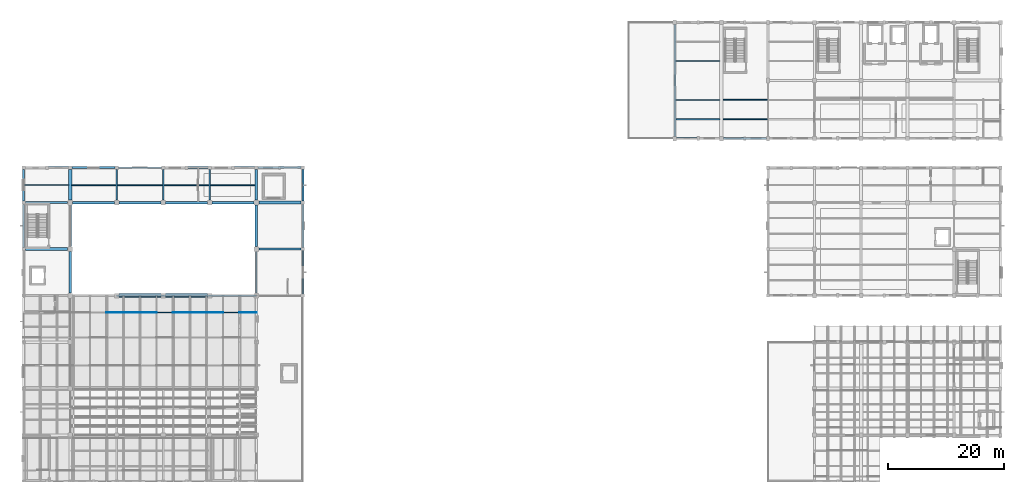
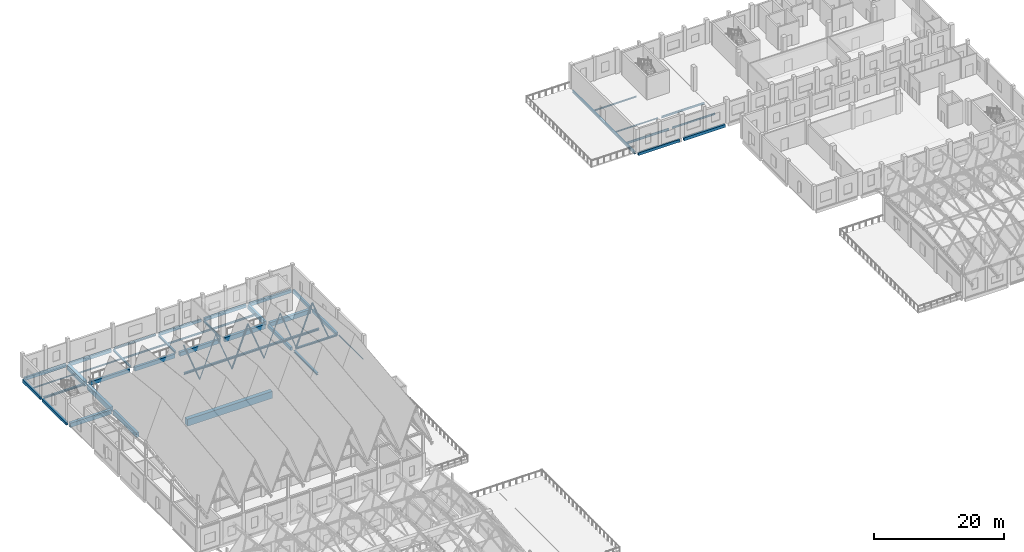
# One storey, part 19 of 77: 45 beams, 9 members.
"""IFC4 building model written with IfcOpenShell, lengths in metres."""

from ifc_helpers import new_model, si_unit, direction, frame, origin, origin_2d, place, context, subcontext, project, spatial, rectangle, hollow_rectangle, i_section, extrude, material, material_profile, profile_set, type_object, element, save


model = new_model("IFC4")

# Units and contexts
model_context = context("Model", 3, precision=1e-05, world=origin(), true_north=direction((0.0, 1.0)))
body_context = subcontext(model_context, "Body", "Model", "MODEL_VIEW")
ifc_project = project(units=[si_unit("LENGTHUNIT", "METRE"), si_unit("AREAUNIT", "SQUARE_METRE"), si_unit("VOLUMEUNIT", "CUBIC_METRE"), si_unit("PLANEANGLEUNIT", "RADIAN"), si_unit("MASSUNIT", "GRAM", prefix="KILO")], contexts=[model_context])

# Site, building, storey
site_placement = place(None, origin())
site = spatial("IfcSite", under=ifc_project, at=site_placement, CompositionType="ELEMENT")
building_placement = place(site_placement, origin())
building = spatial("IfcBuilding", under=site, at=building_placement, Name="Luwemba Playhouse", CompositionType="ELEMENT")
storey_placement = place(building_placement, frame((0.0, 0.0, 9.300048828125)))
storey = spatial("IfcBuildingStorey", under=building, at=storey_placement, Name="L02", CompositionType="ELEMENT", Elevation=9.300048828125)

# Beams
ifc_material_1 = material(Name="Concrete C40/50", Category="concrete")
ifc_material_profile_1 = material_profile(ifc_material_1, rectangle(XDim=0.39990234375, YDim=0.60009765625, at=origin_2d()))
ifc_profile_set_1 = profile_set([ifc_material_profile_1], Name="Concrete C40/50")
beam_type_1 = type_object("IfcBeamType", Name="BM-RB01", PredefinedType="BEAM", material=ifc_profile_set_1)
beam_1_placement = place(storey_placement, frame((44.0, 76.425048828125, -0.550048828125), z_axis=(0.0, 1.0, 0.0), x_axis=(-1.0, 0.0, 0.0)))
element("IfcBeam", 1, at=beam_1_placement, inside=storey, type_object=beam_type_1, Name="L02 transverse girder 0693", PredefinedType="BEAM", context=body_context, shape_type="SweptSolid", body=[
    extrude(rectangle(XDim=0.39990234375, YDim=0.60009765625, at=origin_2d()), origin(), (0.0, 0.0, 1.0), 7.14990234375),
])
ifc_material_profile_2 = material_profile(ifc_material_1, rectangle(XDim=0.39990234375, YDim=0.64990234375, at=origin_2d()))
ifc_profile_set_2 = profile_set([ifc_material_profile_2], Name="Concrete C40/50")
beam_type_2 = type_object("IfcBeamType", Name="BM-RB02", PredefinedType="BEAM", material=ifc_profile_set_2)
beam_2_placement = place(storey_placement, frame((12.425048828125, 84.0, -0.574951171875), z_axis=(1.0, 0.0, 0.0), x_axis=(0.0, 1.0, 0.0)))
element("IfcBeam", 2, at=beam_2_placement, inside=storey, type_object=beam_type_2, Name="L02 grid girder 0672", PredefinedType="BEAM", context=body_context, shape_type="SweptSolid", body=[
    extrude(rectangle(XDim=0.39990234375, YDim=0.64990234375, at=origin_2d()), origin(), (0.0, 0.0, 1.0), 7.14990234375),
])
ifc_material_profile_3 = material_profile(ifc_material_1, rectangle(XDim=0.39990234375, YDim=0.75, at=origin_2d()))
ifc_profile_set_3 = profile_set([ifc_material_profile_3], Name="Concrete C40/50")
beam_type_3 = type_object("IfcBeamType", Name="BM-RB03", PredefinedType="BEAM", material=ifc_profile_set_3)
beam_3_placement = place(storey_placement, frame((20.425048828125, 84.0, -0.625), z_axis=(1.0, 0.0, 0.0), x_axis=(0.0, 1.0, 0.0)))
element("IfcBeam", 3, at=beam_3_placement, inside=storey, type_object=beam_type_3, Name="L02 grid girder 0673", PredefinedType="BEAM", context=body_context, shape_type="SweptSolid", body=[
    extrude(rectangle(XDim=0.39990234375, YDim=0.75, at=origin_2d()), origin(), (0.0, 0.0, 1.0), 7.14990234375),
])
beam_4_placement = place(storey_placement, frame((44.0, 84.425048828125, -0.625), z_axis=(0.0, 1.0, 0.0), x_axis=(-1.0, 0.0, 0.0)))
element("IfcBeam", 4, at=beam_4_placement, inside=storey, type_object=beam_type_3, Name="L02 transverse girder 0694", PredefinedType="BEAM", context=body_context, shape_type="SweptSolid", body=[
    extrude(rectangle(XDim=0.39990234375, YDim=0.75, at=origin_2d()), origin(), (0.0, 0.0, 1.0), 5.27490234375),
])
ifc_material_profile_4 = material_profile(ifc_material_1, rectangle(XDim=0.449951171875, YDim=0.75, at=origin_2d()))
ifc_profile_set_4 = profile_set([ifc_material_profile_4], Name="Concrete C40/50")
beam_type_4 = type_object("IfcBeamType", Name="BM-RB04", PredefinedType="BEAM", material=ifc_profile_set_4)
beam_5_placement = place(storey_placement, frame((28.425048828125, 84.0, -0.625), z_axis=(1.0, 0.0, 0.0), x_axis=(0.0, 1.0, 0.0)))
element("IfcBeam", 5, at=beam_5_placement, inside=storey, type_object=beam_type_4, Name="L02 grid girder 0674", PredefinedType="BEAM", context=body_context, shape_type="SweptSolid", body=[
    extrude(rectangle(XDim=0.449951171875, YDim=0.75, at=origin_2d()), origin(), (0.0, 0.0, 1.0), 7.14990234375),
])
ifc_material_profile_5 = material_profile(ifc_material_1, rectangle(XDim=0.449951171875, YDim=0.85009765625, at=origin_2d()))
ifc_profile_set_5 = profile_set([ifc_material_profile_5], Name="Concrete C40/50")
beam_type_5 = type_object("IfcBeamType", Name="BM-RB05", PredefinedType="BEAM", material=ifc_profile_set_5)
for number, where, z_axis, x_axis, name in (
    (6, (36.425048828125, 84.0, -0.675048828125), (1.0, 0.0, 0.0), (0.0, 1.0, 0.0), "L02 grid girder 0675"),
    (7, (12.0, 68.425048828125, -0.675048828125), (0.0, 1.0, 0.0), (-1.0, 0.0, 0.0), "L02 transverse girder 0686"),
):
    element("IfcBeam", number, at=place(storey_placement, frame(where, z_axis=z_axis, x_axis=x_axis)), inside=storey, type_object=beam_type_5, Name=name, PredefinedType="BEAM", context=body_context, shape_type="SweptSolid", body=[
        extrude(rectangle(XDim=0.449951171875, YDim=0.85009765625, at=origin_2d()), origin(), (0.0, 0.0, 1.0), 7.14990234375),
    ])
ifc_material_profile_6 = material_profile(ifc_material_1, rectangle(XDim=0.5, YDim=0.800048828125, at=origin_2d()))
ifc_profile_set_6 = profile_set([ifc_material_profile_6], Name="Concrete C40/50")
beam_type_6 = type_object("IfcBeamType", Name="BM-RB06", PredefinedType="BEAM", material=ifc_profile_set_6)
for number, where, z_axis, x_axis, name in (
    (8, (4.300048828125, 76.0, -0.650146484375), (1.0, 0.0, 0.0), (0.0, 1.0, 0.0), "L02 grid girder 0669"),
    (9, (44.425048828125, 84.0, -0.650146484375), (1.0, 0.0, 0.0), (0.0, 1.0, 0.0), "L02 grid girder 0676"),
):
    element("IfcBeam", number, at=place(storey_placement, frame(where, z_axis=z_axis, x_axis=x_axis)), inside=storey, type_object=beam_type_6, Name=name, PredefinedType="BEAM", context=body_context, shape_type="SweptSolid", body=[
        extrude(rectangle(XDim=0.5, YDim=0.800048828125, at=origin_2d()), origin(), (0.0, 0.0, 1.0), 7.27490234375),
    ])
ifc_material_profile_7 = material_profile(ifc_material_1, rectangle(XDim=0.5, YDim=0.89990234375, at=origin_2d()))
ifc_profile_set_7 = profile_set([ifc_material_profile_7], Name="Concrete C40/50")
beam_type_7 = type_object("IfcBeamType", Name="BM-RB07", PredefinedType="BEAM", material=ifc_profile_set_7)
beam_6_placement = place(storey_placement, frame((12.0, 76.425048828125, -0.699951171875), z_axis=(0.0, 1.0, 0.0), x_axis=(-1.0, 0.0, 0.0)))
element("IfcBeam", 10, at=beam_6_placement, inside=storey, type_object=beam_type_7, Name="L02 transverse girder 0687", PredefinedType="BEAM", context=body_context, shape_type="SweptSolid", body=[
    extrude(rectangle(XDim=0.5, YDim=0.89990234375, at=origin_2d()), origin(), (0.0, 0.0, 1.0), 7.14990234375),
])
ifc_material_profile_8 = material_profile(ifc_material_1, rectangle(XDim=0.550048828125, YDim=0.949951171875, at=origin_2d()))
ifc_profile_set_8 = profile_set([ifc_material_profile_8], Name="Concrete C40/50")
beam_type_8 = type_object("IfcBeamType", Name="BM-RB08", PredefinedType="BEAM", material=ifc_profile_set_8)
beam_7_placement = place(storey_placement, frame((12.0, 84.425048828125, -0.72509765625), z_axis=(0.0, 1.0, 0.0), x_axis=(-1.0, 0.0, 0.0)))
element("IfcBeam", 11, at=beam_7_placement, inside=storey, type_object=beam_type_8, Name="L02 transverse girder 0688", PredefinedType="BEAM", context=body_context, shape_type="SweptSolid", body=[
    extrude(rectangle(XDim=0.550048828125, YDim=0.949951171875, at=origin_2d()), origin(), (0.0, 0.0, 1.0), 5.27490234375),
])
ifc_material_profile_9 = material_profile(ifc_material_1, rectangle(XDim=0.699951171875, YDim=1.300048828125, at=origin_2d()))
ifc_profile_set_9 = profile_set([ifc_material_profile_9], Name="Concrete C40/50")
beam_type_9 = type_object("IfcBeamType", Name="BM-RB12", PredefinedType="BEAM", material=ifc_profile_set_9)
beam_8_placement = place(storey_placement, frame((20.425048828125, 68.0, -0.900146484375), z_axis=(1.0, 0.0, 0.0), x_axis=(0.0, 1.0, 0.0)))
element("IfcBeam", 12, at=beam_8_placement, inside=storey, type_object=beam_type_9, Name="L02 Proscenium transfer girder", PredefinedType="BEAM", context=body_context, shape_type="SweptSolid", body=[
    extrude(rectangle(XDim=0.699951171875, YDim=1.300048828125, at=origin_2d()), origin(), (0.0, 0.0, 1.0), 15.14990234375),
])
ifc_material_2 = material(Name="Steel S355", Category="steel")
ifc_material_profile_10 = material_profile(ifc_material_2, i_section(OverallWidth=0.280029296875, OverallDepth=0.27001953125, WebThickness=0.008056640625, FlangeThickness=0.012939453125, FilletRadius=0.02392578125, at=origin_2d()))
ifc_profile_set_10 = profile_set([ifc_material_profile_10], Name="Steel S355")
beam_type_10 = type_object("IfcBeamType", Name="BM-SB02", PredefinedType="BEAM", material=ifc_profile_set_10)
beam_9_placement = place(storey_placement, frame((20.0, 84.425048828125, -0.385009765625), z_axis=(0.0, 1.0, 0.0), x_axis=(-1.0, 0.0, 0.0)))
element("IfcBeam", 13, at=beam_9_placement, inside=storey, type_object=beam_type_10, Name="L02 transverse girder 0689", PredefinedType="BEAM", context=body_context, shape_type="SweptSolid", body=[
    extrude(i_section(OverallWidth=0.280029296875, OverallDepth=0.27001953125, WebThickness=0.008056640625, FlangeThickness=0.012939453125, FilletRadius=0.02392578125, at=origin_2d()), origin(), (0.0, 0.0, 1.0), 5.27490234375),
])
ifc_material_profile_11 = material_profile(ifc_material_2, i_section(OverallWidth=0.300048828125, OverallDepth=0.2900390625, WebThickness=0.008544921875, FlangeThickness=0.013916015625, FilletRadius=0.027099609375, at=origin_2d()))
ifc_profile_set_11 = profile_set([ifc_material_profile_11], Name="Steel S355")
beam_type_11 = type_object("IfcBeamType", Name="BM-SB03", PredefinedType="BEAM", material=ifc_profile_set_11)
beam_10_placement = place(storey_placement, frame((44.425048828125, 76.0, -0.39501953125), z_axis=(1.0, 0.0, 0.0), x_axis=(0.0, 1.0, 0.0)))
element("IfcBeam", 14, at=beam_10_placement, inside=storey, type_object=beam_type_11, Name="L02 grid girder 0670", PredefinedType="BEAM", context=body_context, shape_type="SweptSolid", body=[
    extrude(i_section(OverallWidth=0.300048828125, OverallDepth=0.2900390625, WebThickness=0.008544921875, FlangeThickness=0.013916015625, FilletRadius=0.027099609375, at=origin_2d()), origin(), (0.0, 0.0, 1.0), 7.27490234375),
])
ifc_material_profile_12 = material_profile(ifc_material_2, i_section(OverallWidth=0.300048828125, OverallDepth=0.330078125, WebThickness=0.009521484375, FlangeThickness=0.0166015625, FilletRadius=0.027099609375, at=origin_2d()))
ifc_profile_set_12 = profile_set([ifc_material_profile_12], Name="Steel S355")
beam_type_12 = type_object("IfcBeamType", Name="BM-SB04", PredefinedType="BEAM", material=ifc_profile_set_12)
beam_11_placement = place(storey_placement, frame((4.300048828125, 84.0, -0.4150390625), z_axis=(1.0, 0.0, 0.0), x_axis=(0.0, 1.0, 0.0)))
element("IfcBeam", 15, at=beam_11_placement, inside=storey, type_object=beam_type_12, Name="L02 grid girder 0671", PredefinedType="BEAM", context=body_context, shape_type="SweptSolid", body=[
    extrude(i_section(OverallWidth=0.300048828125, OverallDepth=0.330078125, WebThickness=0.009521484375, FlangeThickness=0.0166015625, FilletRadius=0.027099609375, at=origin_2d()), origin(), (0.0, 0.0, 1.0), 7.27490234375),
])
ifc_material_profile_13 = material_profile(ifc_material_2, i_section(OverallWidth=0.300048828125, OverallDepth=0.389892578125, WebThickness=0.010986328125, FlangeThickness=0.01904296875, FilletRadius=0.027099609375, at=origin_2d()))
ifc_profile_set_13 = profile_set([ifc_material_profile_13], Name="Steel S355")
beam_type_13 = type_object("IfcBeamType", Name="BM-SB05", PredefinedType="BEAM", material=ifc_profile_set_13)
beam_12_placement = place(storey_placement, frame((28.0, 84.425048828125, -0.445068359375), z_axis=(0.0, 1.0, 0.0), x_axis=(-1.0, 0.0, 0.0)))
element("IfcBeam", 16, at=beam_12_placement, inside=storey, type_object=beam_type_13, Name="L02 transverse girder 0690", PredefinedType="BEAM", context=body_context, shape_type="SweptSolid", body=[
    extrude(i_section(OverallWidth=0.300048828125, OverallDepth=0.389892578125, WebThickness=0.010986328125, FlangeThickness=0.01904296875, FilletRadius=0.027099609375, at=origin_2d()), origin(), (0.0, 0.0, 1.0), 5.27490234375),
])
ifc_material_profile_14 = material_profile(ifc_material_2, i_section(OverallWidth=0.18994140625, OverallDepth=0.449951171875, WebThickness=0.009521484375, FlangeThickness=0.0146484375, FilletRadius=0.02099609375, at=origin_2d()))
ifc_profile_set_14 = profile_set([ifc_material_profile_14], Name="Steel S355")
beam_type_14 = type_object("IfcBeamType", Name="BM-SB06", PredefinedType="BEAM", material=ifc_profile_set_14)
beam_13_placement = place(storey_placement, frame((36.0, 84.425048828125, -0.47509765625), z_axis=(0.0, 1.0, 0.0), x_axis=(-1.0, 0.0, 0.0)))
element("IfcBeam", 17, at=beam_13_placement, inside=storey, type_object=beam_type_14, Name="L02 transverse girder 0691", PredefinedType="BEAM", context=body_context, shape_type="SweptSolid", body=[
    extrude(i_section(OverallWidth=0.18994140625, OverallDepth=0.449951171875, WebThickness=0.009521484375, FlangeThickness=0.0146484375, FilletRadius=0.02099609375, at=origin_2d()), origin(), (0.0, 0.0, 1.0), 5.27490234375),
])
ifc_material_profile_15 = material_profile(ifc_material_2, i_section(OverallWidth=0.300048828125, OverallDepth=0.360107421875, WebThickness=0.012451171875, FlangeThickness=0.0224609375, FilletRadius=0.027099609375, at=origin_2d()))
ifc_profile_set_15 = profile_set([ifc_material_profile_15], Name="Steel S355")
beam_type_15 = type_object("IfcBeamType", Name="BM-SB09", PredefinedType="BEAM", material=ifc_profile_set_15)
beam_14_placement = place(storey_placement, frame((44.0, 68.425048828125, -0.429931640625), z_axis=(0.0, 1.0, 0.0), x_axis=(-1.0, 0.0, 0.0)))
element("IfcBeam", 18, at=beam_14_placement, inside=storey, type_object=beam_type_15, Name="L02 transverse girder 0692", PredefinedType="BEAM", context=body_context, shape_type="SweptSolid", body=[
    extrude(i_section(OverallWidth=0.300048828125, OverallDepth=0.360107421875, WebThickness=0.012451171875, FlangeThickness=0.0224609375, FilletRadius=0.027099609375, at=origin_2d()), origin(), (0.0, 0.0, 1.0), 7.14990234375),
])
for number, where, z_axis, x_axis, name in (
    (19, (20.0, 68.0, 8.320068359375), (1.0, 0.0, 0.0), (0.0, 1.0, 0.0), "RF-V1 eave ring beam 0008"),
    (20, (28.0, 68.0, 8.320068359375), (1.0, 0.0, 0.0), (0.0, 1.0, 0.0), "RF-V1 eave ring beam 0009"),
    (21, (36.0, 68.0, 8.320068359375), (1.0, 0.0, 0.0), (0.0, 1.0, 0.0), "RF-V1 eave ring beam 0010"),
):
    element("IfcBeam", number, at=place(storey_placement, frame(where, z_axis=z_axis, x_axis=x_axis)), inside=storey, type_object=beam_type_15, Name=name, PredefinedType="BEAM", context=body_context, shape_type="SweptSolid", body=[
        extrude(i_section(OverallWidth=0.300048828125, OverallDepth=0.360107421875, WebThickness=0.012451171875, FlangeThickness=0.0224609375, FilletRadius=0.027099609375, at=origin_2d()), origin(), (0.0, 0.0, 1.0), 8.0),
    ])
ifc_material_profile_16 = material_profile(ifc_material_2, i_section(OverallWidth=0.300048828125, OverallDepth=0.39990234375, WebThickness=0.013427734375, FlangeThickness=0.02392578125, FilletRadius=0.027099609375, at=origin_2d()))
ifc_profile_set_16 = profile_set([ifc_material_profile_16], Name="Steel S355")
beam_type_16 = type_object("IfcBeamType", Name="BM-SB10", PredefinedType="BEAM", material=ifc_profile_set_16)
beam_15_placement = place(storey_placement, frame((116.0, 95.39990234375, -0.449951171875), z_axis=(0.0, 1.0, 0.0), x_axis=(-1.0, 0.0, 0.0)))
element("IfcBeam", 22, at=beam_15_placement, inside=storey, type_object=beam_type_16, Name="L02 transverse girder 0815", PredefinedType="BEAM", context=body_context, shape_type="SweptSolid", body=[
    extrude(i_section(OverallWidth=0.300048828125, OverallDepth=0.39990234375, WebThickness=0.013427734375, FlangeThickness=0.02392578125, FilletRadius=0.027099609375, at=origin_2d()), origin(), (0.0, 0.0, 1.0), 19.2001953125),
])
ifc_material_profile_17 = material_profile(ifc_material_2, i_section(OverallWidth=0.1201171875, OverallDepth=0.239990234375, WebThickness=0.006103515625, FlangeThickness=0.009765625, FilletRadius=0.014892578125, at=origin_2d()))
ifc_profile_set_17 = profile_set([ifc_material_profile_17], Name="Steel S355")
beam_type_17 = type_object("IfcBeamType", Name="BM-SJ03", PredefinedType="JOIST", material=ifc_profile_set_17)
for number, where, z_axis, x_axis, name in (
    (23, (4.1708984375, 87.0, -0.3701171875), (1.0, 0.0, 0.0), (0.0, 1.0, 0.0), "L02 composite floor joist 0399"),
    (24, (116.14599609375, 101.666748046875, -0.3701171875), (1.0, 0.0, 0.0), (0.0, 1.0, 0.0), "L02 composite floor joist 0465"),
):
    element("IfcBeam", number, at=place(storey_placement, frame(where, z_axis=z_axis, x_axis=x_axis)), inside=storey, type_object=beam_type_17, Name=name, PredefinedType="JOIST", context=body_context, shape_type="SweptSolid", body=[
        extrude(i_section(OverallWidth=0.1201171875, OverallDepth=0.239990234375, WebThickness=0.006103515625, FlangeThickness=0.009765625, FilletRadius=0.014892578125, at=origin_2d()), origin(), (0.0, 0.0, 1.0), 7.55810546875),
    ])
ifc_material_profile_18 = material_profile(ifc_material_2, i_section(OverallWidth=0.135009765625, OverallDepth=0.27001953125, WebThickness=0.006591796875, FlangeThickness=0.01025390625, FilletRadius=0.014892578125, at=origin_2d()))
ifc_profile_set_18 = profile_set([ifc_material_profile_18], Name="Steel S355")
beam_type_18 = type_object("IfcBeamType", Name="BM-SJ04", PredefinedType="JOIST", material=ifc_profile_set_18)
beam_16_placement = place(storey_placement, frame((12.27099609375, 87.0, -0.385009765625), z_axis=(1.0, 0.0, 0.0), x_axis=(0.0, 1.0, 0.0)))
element("IfcBeam", 25, at=beam_16_placement, inside=storey, type_object=beam_type_18, Name="L02 composite floor joist 0400", PredefinedType="JOIST", context=body_context, shape_type="SweptSolid", body=[
    extrude(i_section(OverallWidth=0.135009765625, OverallDepth=0.27001953125, WebThickness=0.006591796875, FlangeThickness=0.01025390625, FilletRadius=0.014892578125, at=origin_2d()), origin(), (0.0, 0.0, 1.0), 7.593017578125),
])
beam_17_placement = place(storey_placement, frame((116.14599609375, 108.333251953125, -0.385009765625), z_axis=(1.0, 0.0, 0.0), x_axis=(0.0, 1.0, 0.0)))
element("IfcBeam", 26, at=beam_17_placement, inside=storey, type_object=beam_type_18, Name="L02 composite floor joist 0466", PredefinedType="JOIST", context=body_context, shape_type="SweptSolid", body=[
    extrude(i_section(OverallWidth=0.135009765625, OverallDepth=0.27001953125, WebThickness=0.006591796875, FlangeThickness=0.01025390625, FilletRadius=0.014892578125, at=origin_2d()), origin(), (0.0, 0.0, 1.0), 7.55810546875),
])
ifc_material_profile_19 = material_profile(ifc_material_2, i_section(OverallWidth=0.14990234375, OverallDepth=0.300048828125, WebThickness=0.007080078125, FlangeThickness=0.0107421875, FilletRadius=0.014892578125, at=origin_2d()))
ifc_profile_set_19 = profile_set([ifc_material_profile_19], Name="Steel S355")
beam_type_19 = type_object("IfcBeamType", Name="BM-SJ05", PredefinedType="JOIST", material=ifc_profile_set_19)
beam_18_placement = place(storey_placement, frame((20.135986328125, 87.0, -0.400146484375), z_axis=(1.0, 0.0, 0.0), x_axis=(0.0, 1.0, 0.0)))
element("IfcBeam", 27, at=beam_18_placement, inside=storey, type_object=beam_type_19, Name="L02 composite floor joist 0401", PredefinedType="JOIST", context=body_context, shape_type="SweptSolid", body=[
    extrude(i_section(OverallWidth=0.14990234375, OverallDepth=0.300048828125, WebThickness=0.007080078125, FlangeThickness=0.0107421875, FilletRadius=0.014892578125, at=origin_2d()), origin(), (0.0, 0.0, 1.0), 7.718017578125),
])
ifc_material_profile_20 = material_profile(ifc_material_2, i_section(OverallWidth=0.159912109375, OverallDepth=0.330078125, WebThickness=0.007568359375, FlangeThickness=0.011474609375, FilletRadius=0.01806640625, at=origin_2d()))
ifc_profile_set_20 = profile_set([ifc_material_profile_20], Name="Steel S355")
beam_type_20 = type_object("IfcBeamType", Name="BM-SJ06", PredefinedType="JOIST", material=ifc_profile_set_20)
beam_19_placement = place(storey_placement, frame((28.14599609375, 87.0, -0.4150390625), z_axis=(1.0, 0.0, 0.0), x_axis=(0.0, 1.0, 0.0)))
element("IfcBeam", 28, at=beam_19_placement, inside=storey, type_object=beam_type_20, Name="L02 composite floor joist 0402", PredefinedType="JOIST", context=body_context, shape_type="SweptSolid", body=[
    extrude(i_section(OverallWidth=0.159912109375, OverallDepth=0.330078125, WebThickness=0.007568359375, FlangeThickness=0.011474609375, FilletRadius=0.01806640625, at=origin_2d()), origin(), (0.0, 0.0, 1.0), 7.762939453125),
])
beam_20_placement = place(storey_placement, frame((124.2958984375, 98.333251953125, -0.4150390625), z_axis=(1.0, 0.0, 0.0), x_axis=(0.0, 1.0, 0.0)))
element("IfcBeam", 29, at=beam_20_placement, inside=storey, type_object=beam_type_20, Name="L02 composite floor joist 0468", PredefinedType="JOIST", context=body_context, shape_type="SweptSolid", body=[
    extrude(i_section(OverallWidth=0.159912109375, OverallDepth=0.330078125, WebThickness=0.007568359375, FlangeThickness=0.011474609375, FilletRadius=0.01806640625, at=origin_2d()), origin(), (0.0, 0.0, 1.0), 7.613037109375),
])
ifc_material_profile_21 = material_profile(ifc_material_2, i_section(OverallWidth=0.169921875, OverallDepth=0.360107421875, WebThickness=0.008056640625, FlangeThickness=0.0126953125, FilletRadius=0.01806640625, at=origin_2d()))
ifc_profile_set_21 = profile_set([ifc_material_profile_21], Name="Steel S355")
beam_type_21 = type_object("IfcBeamType", Name="BM-SJ07", PredefinedType="JOIST", material=ifc_profile_set_21)
beam_21_placement = place(storey_placement, frame((36.091064453125, 87.0, -0.429931640625), z_axis=(1.0, 0.0, 0.0), x_axis=(0.0, 1.0, 0.0)))
element("IfcBeam", 30, at=beam_21_placement, inside=storey, type_object=beam_type_21, Name="L02 composite floor joist 0403", PredefinedType="JOIST", context=body_context, shape_type="SweptSolid", body=[
    extrude(i_section(OverallWidth=0.169921875, OverallDepth=0.360107421875, WebThickness=0.008056640625, FlangeThickness=0.0126953125, FilletRadius=0.01806640625, at=origin_2d()), origin(), (0.0, 0.0, 1.0), 7.712890625),
])
beam_22_placement = place(storey_placement, frame((124.2958984375, 101.666748046875, -0.429931640625), z_axis=(1.0, 0.0, 0.0), x_axis=(0.0, 1.0, 0.0)))
element("IfcBeam", 31, at=beam_22_placement, inside=storey, type_object=beam_type_21, Name="L02 composite floor joist 0469", PredefinedType="JOIST", context=body_context, shape_type="SweptSolid", body=[
    extrude(i_section(OverallWidth=0.169921875, OverallDepth=0.360107421875, WebThickness=0.008056640625, FlangeThickness=0.0126953125, FilletRadius=0.01806640625, at=origin_2d()), origin(), (0.0, 0.0, 1.0), 7.613037109375),
])
ifc_material_profile_22 = material_profile(ifc_material_2, i_section(OverallWidth=0.179931640625, OverallDepth=0.39990234375, WebThickness=0.008544921875, FlangeThickness=0.013427734375, FilletRadius=0.02099609375, at=origin_2d()))
ifc_profile_set_22 = profile_set([ifc_material_profile_22], Name="Steel S355")
beam_type_22 = type_object("IfcBeamType", Name="BM-SJ08", PredefinedType="JOIST", material=ifc_profile_set_22)
beam_23_placement = place(storey_placement, frame((116.14599609375, 98.333251953125, -0.449951171875), z_axis=(1.0, 0.0, 0.0), x_axis=(0.0, 1.0, 0.0)))
element("IfcBeam", 32, at=beam_23_placement, inside=storey, type_object=beam_type_22, Name="L02 composite floor joist 0464", PredefinedType="JOIST", context=body_context, shape_type="SweptSolid", body=[
    extrude(i_section(OverallWidth=0.179931640625, OverallDepth=0.39990234375, WebThickness=0.008544921875, FlangeThickness=0.013427734375, FilletRadius=0.02099609375, at=origin_2d()), origin(), (0.0, 0.0, 1.0), 7.55810546875),
])
ifc_material_profile_23 = material_profile(ifc_material_1, rectangle(XDim=0.300048828125, YDim=0.5, at=origin_2d()))
ifc_profile_set_23 = profile_set([ifc_material_profile_23], Name="Concrete C40/50")
beam_type_23 = type_object("IfcBeamType", Name="BM-SP1", PredefinedType="SPANDREL", material=ifc_profile_set_23)
beam_24_placement = place(storey_placement, frame((28.300048828125, 90.0, -0.5), z_axis=(1.0, 0.0, 0.0), x_axis=(0.0, 1.0, 0.0)))
element("IfcBeam", 33, at=beam_24_placement, inside=storey, type_object=beam_type_23, Name="L02 grid girder 0680", PredefinedType="SPANDREL", context=body_context, shape_type="SweptSolid", body=[
    extrude(rectangle(XDim=0.300048828125, YDim=0.5, at=origin_2d()), origin(), (0.0, 0.0, 1.0), 7.39990234375),
])
beam_25_placement = place(storey_placement, frame((116.300048828125, 95.0, -0.5), z_axis=(1.0, 0.0, 0.0), x_axis=(0.0, 1.0, 0.0)))
element("IfcBeam", 34, at=beam_25_placement, inside=storey, type_object=beam_type_23, Name="L02 grid girder 0796", PredefinedType="SPANDREL", context=body_context, shape_type="SweptSolid", body=[
    extrude(rectangle(XDim=0.300048828125, YDim=0.5, at=origin_2d()), origin(), (0.0, 0.0, 1.0), 7.324951171875),
])
ifc_material_profile_24 = material_profile(ifc_material_1, rectangle(XDim=0.35009765625, YDim=0.550048828125, at=origin_2d()))
ifc_profile_set_24 = profile_set([ifc_material_profile_24], Name="Concrete C40/50")
beam_type_24 = type_object("IfcBeamType", Name="BM-SP2", PredefinedType="SPANDREL", material=ifc_profile_set_24)
for number, where, z_axis, x_axis, name in (
    (35, (4.300048828125, 90.0, -0.525146484375), (1.0, 0.0, 0.0), (0.0, 1.0, 0.0), "L02 grid girder 0677"),
    (36, (36.300048828125, 90.0, -0.525146484375), (1.0, 0.0, 0.0), (0.0, 1.0, 0.0), "L02 grid girder 0681"),
    (37, (4.0, 76.300048828125, -0.525146484375), (0.0, 1.0, 0.0), (-1.0, 0.0, 0.0), "L02 transverse girder 0684"),
    (38, (52.0, 76.300048828125, -0.525146484375), (0.0, 1.0, 0.0), (-1.0, 0.0, 0.0), "L02 transverse girder 0696"),
):
    element("IfcBeam", number, at=place(storey_placement, frame(where, z_axis=z_axis, x_axis=x_axis)), inside=storey, type_object=beam_type_24, Name=name, PredefinedType="SPANDREL", context=body_context, shape_type="SweptSolid", body=[
        extrude(rectangle(XDim=0.35009765625, YDim=0.550048828125, at=origin_2d()), origin(), (0.0, 0.0, 1.0), 7.39990234375),
    ])
beam_26_placement = place(storey_placement, frame((124.375, 95.0, -0.525146484375), z_axis=(1.0, 0.0, 0.0), x_axis=(0.0, 1.0, 0.0)))
element("IfcBeam", 39, at=beam_26_placement, inside=storey, type_object=beam_type_24, Name="L02 grid girder 0797", PredefinedType="SPANDREL", context=body_context, shape_type="SweptSolid", body=[
    extrude(rectangle(XDim=0.35009765625, YDim=0.550048828125, at=origin_2d()), origin(), (0.0, 0.0, 1.0), 7.324951171875),
])
ifc_material_profile_25 = material_profile(ifc_material_1, rectangle(XDim=0.35009765625, YDim=0.60009765625, at=origin_2d()))
ifc_profile_set_25 = profile_set([ifc_material_profile_25], Name="Concrete C40/50")
beam_type_25 = type_object("IfcBeamType", Name="BM-SP3", PredefinedType="SPANDREL", material=ifc_profile_set_25)
for number, where, z_axis, x_axis, name in (
    (40, (12.300048828125, 90.0, -0.550048828125), (1.0, 0.0, 0.0), (0.0, 1.0, 0.0), "L02 grid girder 0678"),
    (41, (44.300048828125, 90.0, -0.550048828125), (1.0, 0.0, 0.0), (0.0, 1.0, 0.0), "L02 grid girder 0682"),
):
    element("IfcBeam", number, at=place(storey_placement, frame(where, z_axis=z_axis, x_axis=x_axis)), inside=storey, type_object=beam_type_25, Name=name, PredefinedType="SPANDREL", context=body_context, shape_type="SweptSolid", body=[
        extrude(rectangle(XDim=0.35009765625, YDim=0.60009765625, at=origin_2d()), origin(), (0.0, 0.0, 1.0), 7.39990234375),
    ])
for number, where, z_axis, x_axis, name in (
    (42, (4.0, 84.300048828125, -0.550048828125), (0.0, 1.0, 0.0), (-1.0, 0.0, 0.0), "L02 transverse girder 0685"),
    (43, (52.0, 84.300048828125, -0.550048828125), (0.0, 1.0, 0.0), (-1.0, 0.0, 0.0), "L02 transverse girder 0697"),
):
    element("IfcBeam", number, at=place(storey_placement, frame(where, z_axis=z_axis, x_axis=x_axis)), inside=storey, type_object=beam_type_25, Name=name, PredefinedType="SPANDREL", context=body_context, shape_type="SweptSolid", body=[
        extrude(rectangle(XDim=0.35009765625, YDim=0.60009765625, at=origin_2d()), origin(), (0.0, 0.0, 1.0), 5.39990234375),
    ])
ifc_material_profile_26 = material_profile(ifc_material_2, i_section(OverallWidth=0.300048828125, OverallDepth=0.300048828125, WebThickness=0.010986328125, FlangeThickness=0.01904296875, FilletRadius=0.027099609375, at=origin_2d()))
ifc_profile_set_26 = profile_set([ifc_material_profile_26], Name="Steel S355")
beam_type_26 = type_object("IfcBeamType", Name="BM-SSP1", PredefinedType="SPANDREL", material=ifc_profile_set_26)
beam_27_placement = place(storey_placement, frame((20.300048828125, 90.0, -0.400146484375), z_axis=(1.0, 0.0, 0.0), x_axis=(0.0, 1.0, 0.0)))
element("IfcBeam", 44, at=beam_27_placement, inside=storey, type_object=beam_type_26, Name="L02 grid girder 0679", PredefinedType="SPANDREL", context=body_context, shape_type="SweptSolid", body=[
    extrude(i_section(OverallWidth=0.300048828125, OverallDepth=0.300048828125, WebThickness=0.010986328125, FlangeThickness=0.01904296875, FilletRadius=0.027099609375, at=origin_2d()), origin(), (0.0, 0.0, 1.0), 7.39990234375),
])
ifc_material_profile_27 = material_profile(ifc_material_2, hollow_rectangle(XDim=0.10009765625, YDim=0.199951171875, WallThickness=0.008056640625, InnerFilletRadius=0.011962890625, OuterFilletRadius=0.02001953125, at=origin_2d()))
ifc_profile_set_27 = profile_set([ifc_material_profile_27], Name="Steel S355")
beam_type_27 = type_object("IfcBeamType", Name="BM-SSP2", PredefinedType="SPANDREL", material=ifc_profile_set_27)
beam_28_placement = place(storey_placement, frame((52.0, 68.300048828125, -0.35009765625), z_axis=(0.0, 1.0, 0.0), x_axis=(-1.0, 0.0, 0.0)))
element("IfcBeam", 45, at=beam_28_placement, inside=storey, type_object=beam_type_27, Name="L02 transverse girder 0695", PredefinedType="SPANDREL", context=body_context, shape_type="SweptSolid", body=[
    extrude(hollow_rectangle(XDim=0.10009765625, YDim=0.199951171875, WallThickness=0.008056640625, InnerFilletRadius=0.011962890625, OuterFilletRadius=0.02001953125, at=origin_2d()), origin(), (0.0, 0.0, 1.0), 7.39990234375),
])

# Members
ifc_material_profile_28 = material_profile(ifc_material_2, hollow_rectangle(XDim=0.080078125, YDim=0.1201171875, WallThickness=0.00634765625, InnerFilletRadius=0.009521484375, OuterFilletRadius=0.015869140625, at=origin_2d()))
ifc_profile_set_28 = profile_set([ifc_material_profile_28], Name="Steel S355")
member_type_1 = type_object("IfcMemberType", Name="MEM-MP01", PredefinedType="PURLIN", material=ifc_profile_set_28)
for number, where, z_axis, x_axis, name in (
    (46, (24.0, 65.1201171875, 16.009765625), (0.359966161358, 0.0, -0.932965359849), (0.0, 1.0, 0.0), "Pleated roof purlin 0048"),
    (47, (35.4287109375, 65.1201171875, 16.009521484375), (0.359939388007, 0.0, -0.932975689373), (0.0, 1.0, 0.0), "Pleated roof purlin 0072"),
):
    element("IfcMember", number, at=place(storey_placement, frame(where, z_axis=z_axis, x_axis=x_axis)), inside=storey, type_object=member_type_1, Name=name, PredefinedType="PURLIN", context=body_context, shape_type="SweptSolid", body=[
        extrude(hollow_rectangle(XDim=0.080078125, YDim=0.1201171875, WallThickness=0.00634765625, InnerFilletRadius=0.009521484375, OuterFilletRadius=0.015869140625, at=origin_2d()), origin(), (0.0, 0.0, 1.0), 7.937255859375),
    ])
ifc_material_profile_29 = material_profile(ifc_material_2, hollow_rectangle(XDim=0.080078125, YDim=0.159912109375, WallThickness=0.00634765625, InnerFilletRadius=0.009521484375, OuterFilletRadius=0.015869140625, at=origin_2d()))
ifc_profile_set_29 = profile_set([ifc_material_profile_29], Name="Steel S355")
member_type_2 = type_object("IfcMemberType", Name="MEM-MP03", PredefinedType="PURLIN", material=ifc_profile_set_29)
member_1_placement = place(storey_placement, frame((21.142822265625, 65.1201171875, 8.58447265625), z_axis=(0.359966161358, 0.0, 0.932965359849), x_axis=(0.0, 1.0, 0.0)))
element("IfcMember", 48, at=member_1_placement, inside=storey, type_object=member_type_2, Name="Pleated roof purlin 0042", PredefinedType="PURLIN", context=body_context, shape_type="SweptSolid", body=[
    extrude(hollow_rectangle(XDim=0.080078125, YDim=0.159912109375, WallThickness=0.00634765625, InnerFilletRadius=0.009521484375, OuterFilletRadius=0.015869140625, at=origin_2d()), origin(), (0.0, 0.0, 1.0), 7.937255859375),
])
member_2_placement = place(storey_placement, frame((32.5712890625, 65.1201171875, 8.584228515625), z_axis=(0.35998260376, 0.0, 0.932959015708), x_axis=(0.0, 1.0, 0.0)))
element("IfcMember", 49, at=member_2_placement, inside=storey, type_object=member_type_2, Name="Pleated roof purlin 0066", PredefinedType="PURLIN", context=body_context, shape_type="SweptSolid", body=[
    extrude(hollow_rectangle(XDim=0.080078125, YDim=0.159912109375, WallThickness=0.00634765625, InnerFilletRadius=0.009521484375, OuterFilletRadius=0.015869140625, at=origin_2d()), origin(), (0.0, 0.0, 1.0), 7.937744140625),
])
ifc_material_profile_30 = material_profile(ifc_material_2, i_section(OverallWidth=0.08203125, OverallDepth=0.159912109375, WebThickness=0.0048828125, FlangeThickness=0.00732421875, FilletRadius=0.009033203125, at=origin_2d()))
ifc_profile_set_30 = profile_set([ifc_material_profile_30], Name="Steel S355")
member_type_3 = type_object("IfcMemberType", Name="MEM-MP05", PredefinedType="PURLIN", material=ifc_profile_set_30)
member_3_placement = place(storey_placement, frame((18.28564453125, 65.1201171875, 15.987060546875), z_axis=(0.359955831838, 0.0, -0.932969345223), x_axis=(0.0, 1.0, 0.0)))
element("IfcMember", 50, at=member_3_placement, inside=storey, type_object=member_type_3, Name="Pleated roof purlin 0036", PredefinedType="PURLIN", context=body_context, shape_type="SweptSolid", body=[
    extrude(i_section(OverallWidth=0.08203125, OverallDepth=0.159912109375, WebThickness=0.0048828125, FlangeThickness=0.00732421875, FilletRadius=0.009033203125, at=origin_2d()), origin(), (0.0, 0.0, 1.0), 7.9375),
])
for number, where, z_axis, x_axis, name in (
    (51, (29.71435546875, 65.1201171875, 15.987060546875), (0.359939388007, 0.0, -0.932975689373), (0.0, 1.0, 0.0), "Pleated roof purlin 0060"),
    (52, (41.142822265625, 65.1201171875, 15.987060546875), (0.359966161358, 0.0, -0.932965359849), (0.0, 1.0, 0.0), "Pleated roof purlin 0084"),
):
    element("IfcMember", number, at=place(storey_placement, frame(where, z_axis=z_axis, x_axis=x_axis)), inside=storey, type_object=member_type_3, Name=name, PredefinedType="PURLIN", context=body_context, shape_type="SweptSolid", body=[
        extrude(i_section(OverallWidth=0.08203125, OverallDepth=0.159912109375, WebThickness=0.0048828125, FlangeThickness=0.00732421875, FilletRadius=0.009033203125, at=origin_2d()), origin(), (0.0, 0.0, 1.0), 7.937255859375),
    ])
ifc_material_profile_31 = material_profile(ifc_material_2, i_section(OverallWidth=0.10009765625, OverallDepth=0.199951171875, WebThickness=0.005615234375, FlangeThickness=0.008544921875, FilletRadius=0.011962890625, at=origin_2d()))
ifc_profile_set_31 = profile_set([ifc_material_profile_31], Name="Steel S355")
member_type_4 = type_object("IfcMemberType", Name="MEM-MP07", PredefinedType="PURLIN", material=ifc_profile_set_31)
for number, where, z_axis, x_axis, name in (
    (53, (26.857177734375, 65.1201171875, 8.538330078125), (0.359955831838, 0.0, 0.932969345223), (0.0, 1.0, 0.0), "Pleated roof purlin 0054"),
    (54, (38.28564453125, 65.1201171875, 8.538330078125), (0.359955831838, 0.0, 0.932969345223), (0.0, 1.0, 0.0), "Pleated roof purlin 0078"),
):
    element("IfcMember", number, at=place(storey_placement, frame(where, z_axis=z_axis, x_axis=x_axis)), inside=storey, type_object=member_type_4, Name=name, PredefinedType="PURLIN", context=body_context, shape_type="SweptSolid", body=[
        extrude(i_section(OverallWidth=0.10009765625, OverallDepth=0.199951171875, WebThickness=0.005615234375, FlangeThickness=0.008544921875, FilletRadius=0.011962890625, at=origin_2d()), origin(), (0.0, 0.0, 1.0), 7.9375),
    ])

save(model, "model.ifc")
